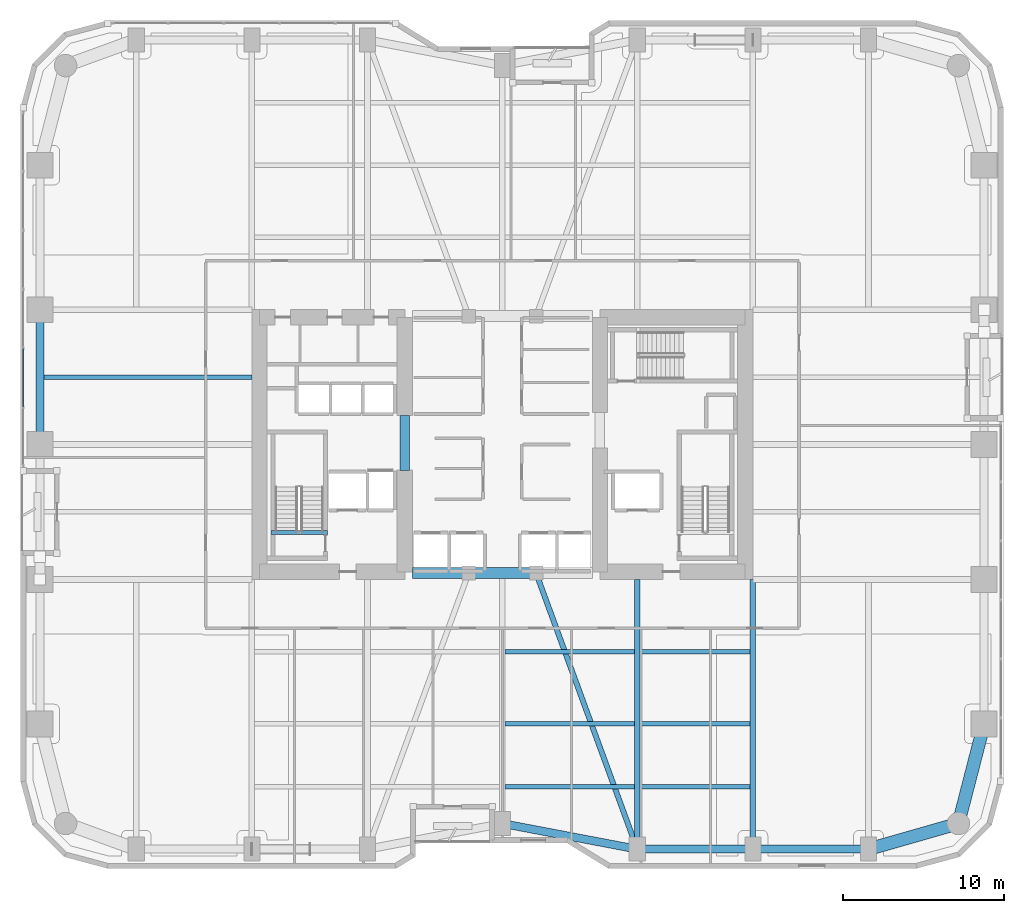
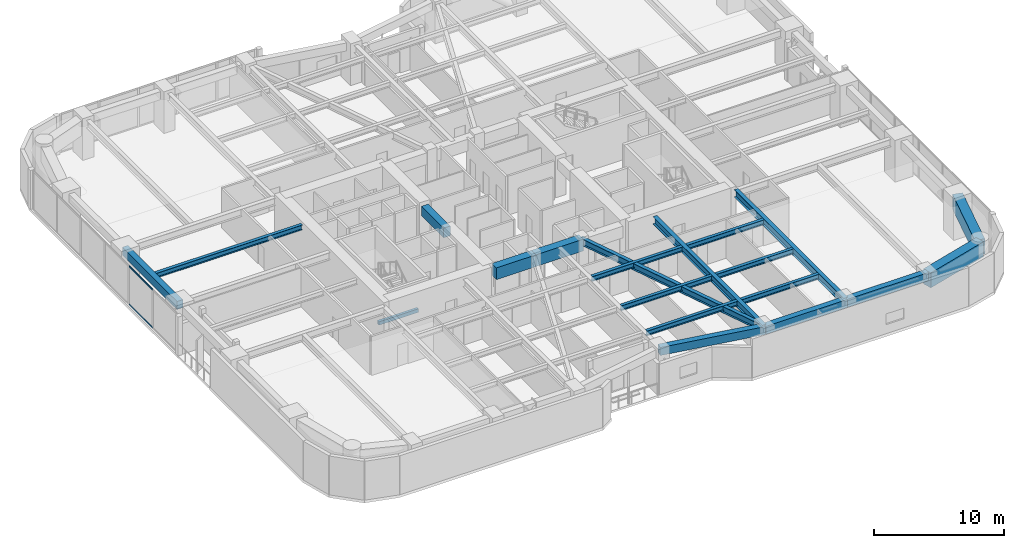
# One storey, part 3 of 28: 20 beams, 2 members, 1 element without a shape of its own.
"""IFC4 building model written with IfcOpenShell, lengths in metres."""

from ifc_helpers import new_model, si_unit, direction, frame, origin, origin_2d, place, context, subcontext, project, spatial, rectangle, hollow_rectangle, i_section, extrude, material, layer, layer_set, material_profile, profile_set, type_object, element, aggregate, save


model = new_model("IFC4")

# Units and contexts
model_context = context("Model", 3, precision=1e-05, world=origin(), true_north=direction((0.0, 1.0)))
body_context = subcontext(model_context, "Body", "Model", "MODEL_VIEW")
ifc_project = project(units=[si_unit("LENGTHUNIT", "METRE"), si_unit("AREAUNIT", "SQUARE_METRE"), si_unit("VOLUMEUNIT", "CUBIC_METRE"), si_unit("PLANEANGLEUNIT", "RADIAN"), si_unit("MASSUNIT", "GRAM", prefix="KILO")], contexts=[model_context])

# Site, building, storey
site_placement = place(None, origin())
site = spatial("IfcSite", under=ifc_project, at=site_placement, CompositionType="ELEMENT")
building_placement = place(site_placement, origin())
building = spatial("IfcBuilding", under=site, at=building_placement, Name="Kiyonajd Concourse Tower", CompositionType="ELEMENT")
storey_placement = place(building_placement, frame((0.0, 0.0, 60.60009765625)))
storey = spatial("IfcBuildingStorey", under=building, at=storey_placement, Name="L16", CompositionType="ELEMENT", Elevation=60.60009765625)

# Beams
ifc_material_1 = material(Name="Concrete C70/85", Category="concrete")
ifc_material_profile_1 = material_profile(ifc_material_1, rectangle(XDim=0.699951171875, YDim=1.10009765625, at=origin_2d()), Name="RCBM-700x1100")
ifc_profile_set_1 = profile_set([ifc_material_profile_1], Name="Concrete C70/85")
beam_type_1 = type_object("IfcBeamType", Name="BM-COUP-1100", PredefinedType="LINTEL", material=ifc_profile_set_1)
beam_1_placement = place(storey_placement, frame((42.39990234375, 28.0, 3.08984375), z_axis=(1.0, 0.0, 0.0), x_axis=(0.0, 1.0, 0.0)))
element("IfcBeam", 1, at=beam_1_placement, inside=storey, type_object=beam_type_1, Name="L16 Core Coupling Beam S1", PredefinedType="LINTEL", context=body_context, shape_type="SweptSolid", body=[
    extrude(rectangle(XDim=0.699951171875, YDim=1.10009765625, at=origin_2d()), origin(), (0.0, 0.0, 1.0), 3.5),
])
beam_2_placement = place(storey_placement, frame((45.89990234375, 28.0, 3.08984375), z_axis=(1.0, 0.0, 0.0), x_axis=(0.0, 1.0, 0.0)))
element("IfcBeam", 2, at=beam_2_placement, inside=storey, type_object=beam_type_1, Name="L16 Core Coupling Beam S2", PredefinedType="LINTEL", context=body_context, shape_type="SweptSolid", body=[
    extrude(rectangle(XDim=0.699951171875, YDim=1.10009765625, at=origin_2d()), origin(), (0.0, 0.0, 1.0), 4.2001953125),
])
ifc_material_2 = material(Name="Concrete C60/75", Category="concrete")
ifc_material_profile_2 = material_profile(ifc_material_2, rectangle(XDim=0.60009765625, YDim=0.89990234375, at=origin_2d()), Name="RCBM-600x900")
ifc_profile_set_2 = profile_set([ifc_material_profile_2], Name="Concrete C60/75")
beam_type_2 = type_object("IfcBeamType", Name="BM-COUP-900", PredefinedType="LINTEL", material=ifc_profile_set_2)
beam_3_placement = place(storey_placement, frame((41.925048828125, 34.39990234375, 3.08984375), z_axis=(0.0, 1.0, 0.0), x_axis=(-1.0, 0.0, 0.0)))
element("IfcBeam", 3, at=beam_3_placement, inside=storey, type_object=beam_type_2, Name="L16 West Core Throat Coupling Lintel", PredefinedType="LINTEL", context=body_context, shape_type="SweptSolid", body=[
    extrude(rectangle(XDim=0.60009765625, YDim=0.89990234375, at=origin_2d()), origin(), (0.0, 0.0, 1.0), 3.400146484375),
])
ifc_material_3 = material(Name="Steel ASTM A992 Grade 50", Category="steel")
ifc_material_profile_3 = material_profile(ifc_material_3, i_section(OverallWidth=0.280029296875, OverallDepth=0.462890625, WebThickness=0.0107421875, FlangeThickness=0.017333984375, at=origin_2d()), Name="W460X113")
ifc_profile_set_3 = profile_set([ifc_material_profile_3], Name="Steel ASTM A992 Grade 50")
beam_type_3 = type_object("IfcBeamType", Name="BM-JST-460A", PredefinedType="JOIST", material=ifc_profile_set_3)
beam_4_placement = place(storey_placement, frame((48.177490234375, 14.699951171875, 3.408447265625), z_axis=(1.0, 0.0, 0.0), x_axis=(0.0, 1.0, 0.0)))
element("IfcBeam", 4, at=beam_4_placement, inside=storey, type_object=beam_type_3, Name="L16 Secondary Floor Joist", PredefinedType="JOIST", context=body_context, shape_type="SweptSolid", body=[
    extrude(i_section(OverallWidth=0.280029296875, OverallDepth=0.462890625, WebThickness=0.0107421875, FlangeThickness=0.017333984375, at=origin_2d()), origin(), (0.0, 0.0, 1.0), 8.044921875),
])
beam_5_placement = place(storey_placement, frame((56.577392578125, 14.699951171875, 3.408447265625), z_axis=(1.0, 0.0, 0.0), x_axis=(0.0, 1.0, 0.0)))
element("IfcBeam", 5, at=beam_5_placement, inside=storey, type_object=beam_type_3, Name="L16 Secondary Floor Joist", PredefinedType="JOIST", context=body_context, shape_type="SweptSolid", body=[
    extrude(i_section(OverallWidth=0.280029296875, OverallDepth=0.462890625, WebThickness=0.0107421875, FlangeThickness=0.017333984375, at=origin_2d()), origin(), (0.0, 0.0, 1.0), 6.84521484375),
])
beam_6_placement = place(storey_placement, frame((48.177490234375, 18.60009765625, 3.408447265625), z_axis=(1.0, 0.0, 0.0), x_axis=(0.0, 1.0, 0.0)))
element("IfcBeam", 6, at=beam_6_placement, inside=storey, type_object=beam_type_3, Name="L16 Secondary Floor Joist", PredefinedType="JOIST", context=body_context, shape_type="SweptSolid", body=[
    extrude(i_section(OverallWidth=0.280029296875, OverallDepth=0.462890625, WebThickness=0.0107421875, FlangeThickness=0.017333984375, at=origin_2d()), origin(), (0.0, 0.0, 1.0), 8.044921875),
])
beam_7_placement = place(storey_placement, frame((56.577392578125, 18.60009765625, 3.408447265625), z_axis=(1.0, 0.0, 0.0), x_axis=(0.0, 1.0, 0.0)))
element("IfcBeam", 7, at=beam_7_placement, inside=storey, type_object=beam_type_3, Name="L16 Secondary Floor Joist", PredefinedType="JOIST", context=body_context, shape_type="SweptSolid", body=[
    extrude(i_section(OverallWidth=0.280029296875, OverallDepth=0.462890625, WebThickness=0.0107421875, FlangeThickness=0.017333984375, at=origin_2d()), origin(), (0.0, 0.0, 1.0), 6.84521484375),
])
beam_8_placement = place(storey_placement, frame((48.177490234375, 23.10009765625, 3.408447265625), z_axis=(1.0, 0.0, 0.0), x_axis=(0.0, 1.0, 0.0)))
element("IfcBeam", 8, at=beam_8_placement, inside=storey, type_object=beam_type_3, Name="L16 Secondary Floor Joist", PredefinedType="JOIST", context=body_context, shape_type="SweptSolid", body=[
    extrude(i_section(OverallWidth=0.280029296875, OverallDepth=0.462890625, WebThickness=0.0107421875, FlangeThickness=0.017333984375, at=origin_2d()), origin(), (0.0, 0.0, 1.0), 8.044921875),
])
beam_9_placement = place(storey_placement, frame((56.577392578125, 23.10009765625, 3.408447265625), z_axis=(1.0, 0.0, 0.0), x_axis=(0.0, 1.0, 0.0)))
element("IfcBeam", 9, at=beam_9_placement, inside=storey, type_object=beam_type_3, Name="L16 Secondary Floor Joist", PredefinedType="JOIST", context=body_context, shape_type="SweptSolid", body=[
    extrude(i_section(OverallWidth=0.280029296875, OverallDepth=0.462890625, WebThickness=0.0107421875, FlangeThickness=0.017333984375, at=origin_2d()), origin(), (0.0, 0.0, 1.0), 6.84521484375),
])
beam_10_placement = place(storey_placement, frame((19.449951171875, 40.199951171875, 3.408447265625), z_axis=(1.0, 0.0, 0.0), x_axis=(0.0, 1.0, 0.0)))
element("IfcBeam", 10, at=beam_10_placement, inside=storey, type_object=beam_type_3, Name="L16 West Secondary Floor Joist", PredefinedType="JOIST", context=body_context, shape_type="SweptSolid", body=[
    extrude(i_section(OverallWidth=0.280029296875, OverallDepth=0.462890625, WebThickness=0.0107421875, FlangeThickness=0.017333984375, at=origin_2d()), origin(), (0.0, 0.0, 1.0), 12.949951171875),
])
ifc_material_4 = material(Name="Concrete C50/60", Category="concrete")
ifc_material_profile_4 = material_profile(ifc_material_4, rectangle(XDim=0.239990234375, YDim=0.320068359375, at=origin_2d()), Name="RCBM-240x320")
ifc_profile_set_4 = profile_set([ifc_material_profile_4], Name="Concrete C50/60")
beam_type_4 = type_object("IfcBeamType", Name="BM-LNT-250", PredefinedType="LINTEL", material=ifc_profile_set_4)
beam_11_placement = place(storey_placement, frame((33.590087890625, 30.530029296875, -0.16015625), z_axis=(1.0, 0.0, 0.0), x_axis=(0.0, 1.0, 0.0)))
element("IfcBeam", 11, at=beam_11_placement, inside=storey, type_object=beam_type_4, Name="L16 Stair ST1 Threshold Support Beam", PredefinedType="LINTEL", context=body_context, shape_type="SweptSolid", body=[
    extrude(rectangle(XDim=0.239990234375, YDim=0.320068359375, at=origin_2d()), origin(), (0.0, 0.0, 1.0), 3.52001953125),
])
ifc_material_5 = material(Name="Precast concrete C50/60", Category="concrete")
ifc_material_profile_5 = material_profile(ifc_material_5, rectangle(XDim=0.5, YDim=0.75, at=origin_2d()), Name="RCBM-500x750")
ifc_profile_set_5 = profile_set([ifc_material_profile_5], Name="Precast concrete C50/60")
beam_type_5 = type_object("IfcBeamType", Name="BM-SPAN-RC", PredefinedType="SPANDREL", material=ifc_profile_set_5)
beam_12_placement = place(storey_placement, frame((48.0, 12.39990234375, 3.264892578125), z_axis=(0.982341315253, -0.187097675953, 0.0), x_axis=(0.187097675953, 0.982341315253, 0.0)))
element("IfcBeam", 12, at=beam_12_placement, inside=storey, type_object=beam_type_5, Name="L16 Perimeter Bundled Tube Spandrel", PredefinedType="SPANDREL", context=body_context, shape_type="SweptSolid", body=[
    extrude(rectangle(XDim=0.5, YDim=0.75, at=origin_2d()), origin(), (0.0, 0.0, 1.0), 8.55078125),
])
beam_13_placement = place(storey_placement, frame((56.39990234375, 10.800048828125, 3.264892578125), z_axis=(1.0, 0.0, 0.0), x_axis=(0.0, 1.0, 0.0)))
element("IfcBeam", 13, at=beam_13_placement, inside=storey, type_object=beam_type_5, Name="L16 Perimeter Bundled Tube Spandrel", PredefinedType="SPANDREL", context=body_context, shape_type="SweptSolid", body=[
    extrude(rectangle(XDim=0.5, YDim=0.75, at=origin_2d()), origin(), (0.0, 0.0, 1.0), 7.2001953125),
])
beam_14_placement = place(storey_placement, frame((63.60009765625, 10.800048828125, 3.264892578125), z_axis=(1.0, 0.0, 0.0), x_axis=(0.0, 1.0, 0.0)))
element("IfcBeam", 14, at=beam_14_placement, inside=storey, type_object=beam_type_5, Name="L16 Perimeter Bundled Tube Spandrel", PredefinedType="SPANDREL", context=body_context, shape_type="SweptSolid", body=[
    extrude(rectangle(XDim=0.5, YDim=0.75, at=origin_2d()), origin(), (0.0, 0.0, 1.0), 7.199951171875),
])
beam_15_placement = place(storey_placement, frame((19.199951171875, 44.39990234375, 3.264892578125), z_axis=(0.0, -1.0, 0.0), x_axis=(1.0, 0.0, 0.0)))
element("IfcBeam", 15, at=beam_15_placement, inside=storey, type_object=beam_type_5, Name="L16 Perimeter Bundled Tube Spandrel", PredefinedType="SPANDREL", context=body_context, shape_type="SweptSolid", body=[
    extrude(rectangle(XDim=0.5, YDim=0.75, at=origin_2d()), origin(), (0.0, 0.0, 1.0), 8.39990234375),
])
ifc_material_profile_6 = material_profile(ifc_material_3, i_section(OverallWidth=0.326904296875, OverallDepth=0.6220703125, WebThickness=0.015380859375, FlangeThickness=0.0244140625, at=origin_2d()), Name="W610X195")
ifc_profile_set_6 = profile_set([ifc_material_profile_6], Name="Steel ASTM A992 Grade 50")
beam_type_6 = type_object("IfcBeamType", Name="BM-TWR-610A", PredefinedType="BEAM", material=ifc_profile_set_6)
beam_16_placement = place(storey_placement, frame((50.10009765625, 28.0, 3.328857421875), z_axis=(0.343925269715, -0.938997022813, 0.0), x_axis=(0.938997022813, 0.343925269715, 0.0)))
element("IfcBeam", 16, at=beam_16_placement, inside=storey, type_object=beam_type_6, Name="L16 Core Tie Girder", PredefinedType="BEAM", context=body_context, shape_type="SweptSolid", body=[
    extrude(i_section(OverallWidth=0.326904296875, OverallDepth=0.6220703125, WebThickness=0.015380859375, FlangeThickness=0.0244140625, at=origin_2d()), origin(), (0.0, 0.0, 1.0), 18.3173828125),
])
ifc_material_profile_7 = material_profile(ifc_material_3, i_section(OverallWidth=0.35498046875, OverallDepth=0.695068359375, WebThickness=0.015380859375, FlangeThickness=0.02490234375, at=origin_2d()), Name="W690X217")
ifc_profile_set_7 = profile_set([ifc_material_profile_7], Name="Steel ASTM A992 Grade 50")
beam_type_7 = type_object("IfcBeamType", Name="BM-TWR-690", PredefinedType="BEAM", material=ifc_profile_set_7)
for number, where, z_axis, x_axis, name in (
    (17, (56.39990234375, 10.800048828125, 3.29248046875), (0.0, 1.0, 0.0), (-1.0, 0.0, 0.0), "L16 South Lease Girder"),
    (18, (63.60009765625, 10.800048828125, 3.29248046875), (0.0, 1.0, 0.0), (-1.0, 0.0, 0.0), "L16 South Lease Girder"),
):
    element("IfcBeam", number, at=place(storey_placement, frame(where, z_axis=z_axis, x_axis=x_axis)), inside=storey, type_object=beam_type_7, Name=name, PredefinedType="BEAM", context=body_context, shape_type="SweptSolid", body=[
        extrude(i_section(OverallWidth=0.35498046875, OverallDepth=0.695068359375, WebThickness=0.015380859375, FlangeThickness=0.02490234375, at=origin_2d()), origin(), (0.0, 0.0, 1.0), 16.800048828125),
    ])
ifc_material_profile_8 = material_profile(ifc_material_2, rectangle(XDim=0.800048828125, YDim=1.39990234375, at=origin_2d()), Name="RCBM-800x1400")
ifc_profile_set_8 = profile_set([ifc_material_profile_8], Name="Concrete C60/75")
beam_type_8 = type_object("IfcBeamType", Name="BM-XFER-RC", PredefinedType="BEAM", material=ifc_profile_set_8)
beam_17_placement = place(storey_placement, frame((70.800048828125, 10.800048828125, 2.93994140625), z_axis=(0.961528693205, 0.274704517878, 0.0), x_axis=(-0.274704517878, 0.961528693205, 0.0)))
element("IfcBeam", 19, at=beam_17_placement, inside=storey, type_object=beam_type_8, Name="L16 Perimeter Bundled Tube Spandrel", PredefinedType="BEAM", context=body_context, shape_type="SweptSolid", body=[
    extrude(rectangle(XDim=0.800048828125, YDim=1.39990234375, at=origin_2d()), origin(), (0.0, 0.0, 1.0), 5.823974609375),
])
beam_18_placement = place(storey_placement, frame((76.39990234375, 12.39990234375, 2.93994140625), z_axis=(0.249884937687, 0.968275538221, 0.0), x_axis=(-0.968275538221, 0.249884937687, 0.0)))
element("IfcBeam", 20, at=beam_18_placement, inside=storey, type_object=beam_type_8, Name="L16 Perimeter Bundled Tube Spandrel", PredefinedType="BEAM", context=body_context, shape_type="SweptSolid", body=[
    extrude(rectangle(XDim=0.800048828125, YDim=1.39990234375, at=origin_2d()), origin(), (0.0, 0.0, 1.0), 6.4033203125),
])

# Curtain wall, members
ifc_material_6 = material(Name="Thermally Broken Anodised Aluminium", Category="aluminium")
ifc_layer = layer(ifc_material_6, 0.179931640625)
ifc_layer_set = layer_set([ifc_layer], Name="Thermally Broken Anodised Aluminium")
curtain_wall_type = type_object("IfcCurtainWallType", Name="CW-SYS-02", PredefinedType="NOTDEFINED", material=ifc_layer_set)
curtain_wall_placement = place(storey_placement, origin())
curtain_wall = element("IfcCurtainWall", 21, at=curtain_wall_placement, inside=storey, type_object=curtain_wall_type, Name="L16 Unitised Curtain Wall CW2", PredefinedType="NOTDEFINED")
ifc_material_profile_9 = material_profile(ifc_material_6, hollow_rectangle(XDim=0.06494140625, YDim=0.139892578125, WallThickness=0.00390625, at=origin_2d()), Name="TRAN-65x140")
ifc_profile_set_9 = profile_set([ifc_material_profile_9], Name="Thermally Broken Anodised Aluminium")
member_type = type_object("IfcMemberType", Name="MB-CW-TRAN1", PredefinedType="USERDEFINED", material=ifc_profile_set_9)
member_1_placement = place(storey_placement, frame((18.159912109375, 38.355712890625, 0.032470703125), z_axis=(0.0, 1.0, 0.0), x_axis=(-1.0, 0.0, 0.0)))
member_1 = element("IfcMember", 22, at=member_1_placement, type_object=member_type, Name="CW2 transom 2.1", ObjectType="TRANSOM", PredefinedType="USERDEFINED", context=body_context, shape_type="SweptSolid", body=[
    extrude(hollow_rectangle(XDim=0.06494140625, YDim=0.139892578125, WallThickness=0.00390625, at=origin_2d()), origin(), (0.0, 0.0, 1.0), 3.608154296875),
])
member_2_placement = place(storey_placement, frame((18.159912109375, 38.355712890625, 3.607421875), z_axis=(0.0, 1.0, 0.0), x_axis=(-1.0, 0.0, 0.0)))
member_2 = element("IfcMember", 23, at=member_2_placement, type_object=member_type, Name="CW2 transom 2.2", ObjectType="TRANSOM", PredefinedType="USERDEFINED", context=body_context, shape_type="SweptSolid", body=[
    extrude(hollow_rectangle(XDim=0.06494140625, YDim=0.139892578125, WallThickness=0.00390625, at=origin_2d()), origin(), (0.0, 0.0, 1.0), 3.608154296875),
])
aggregate(curtain_wall, [member_1, member_2])

save(model, "model.ifc")
